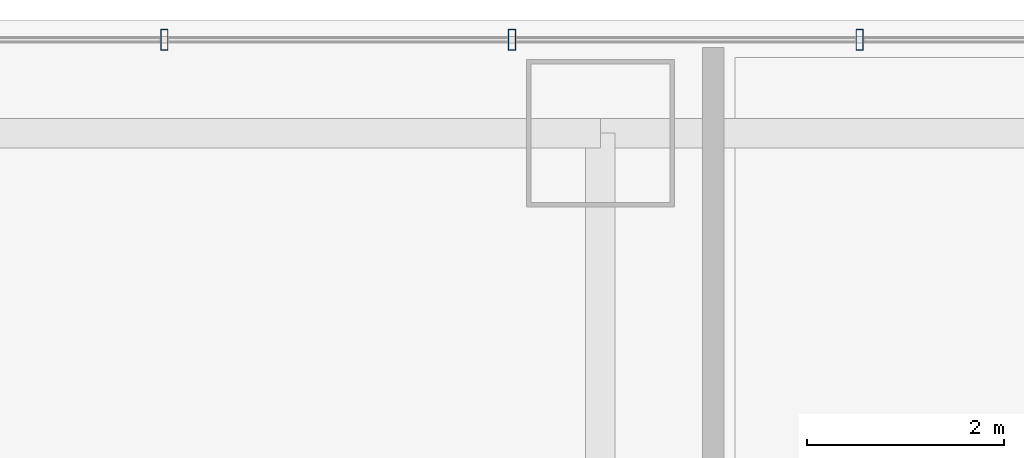
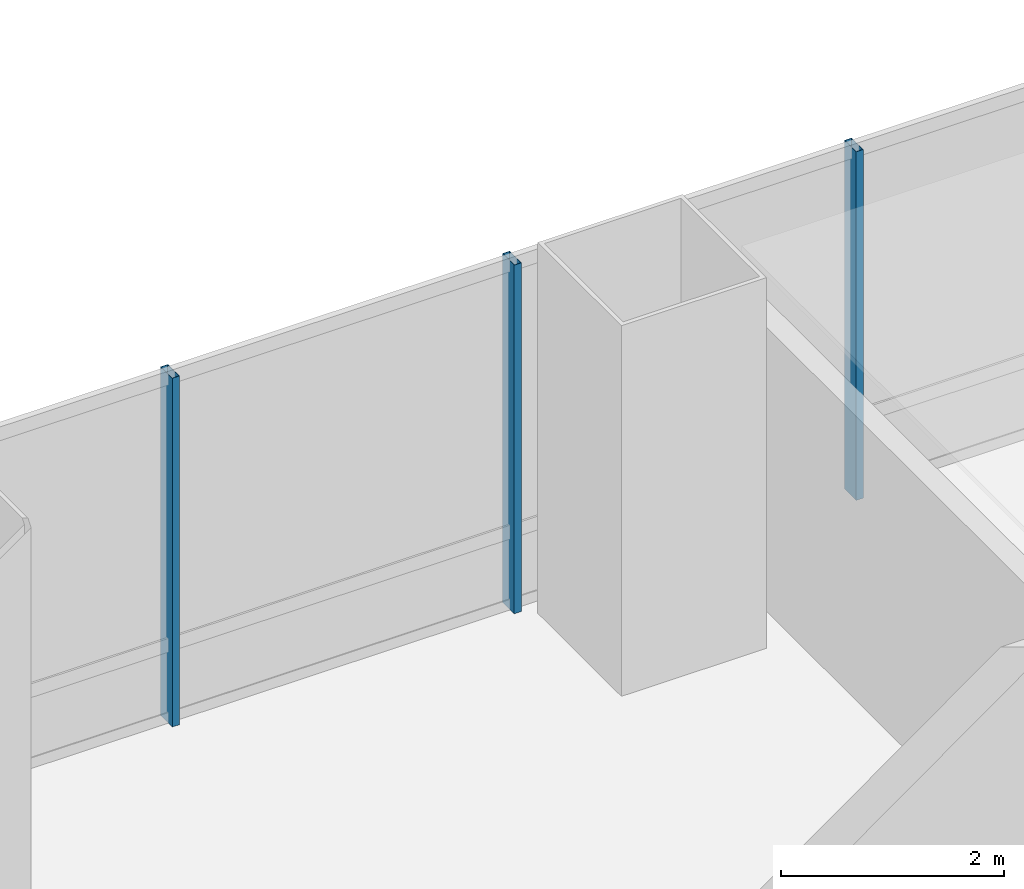
# One storey, part 23 of 35: 3 members, 1 element without a shape of its own.
"""IFC4 building model written with IfcOpenShell, lengths in metres."""

from ifc_helpers import new_model, si_unit, direction, frame, origin, origin_2d, place, context, subcontext, project, spatial, hollow_rectangle, extrude, material, material_profile, profile_set, type_object, element, aggregate, save


model = new_model("IFC4")

# Units and contexts
model_context = context("Model", 3, precision=1e-05, world=origin(), true_north=direction((0.0, 1.0)))
body_context = subcontext(model_context, "Body", "Model", "MODEL_VIEW")
ifc_project = project(units=[si_unit("LENGTHUNIT", "METRE"), si_unit("AREAUNIT", "SQUARE_METRE"), si_unit("VOLUMEUNIT", "CUBIC_METRE"), si_unit("PLANEANGLEUNIT", "RADIAN"), si_unit("MASSUNIT", "GRAM", prefix="KILO")], contexts=[model_context])

# Site, building, storey
site_placement = place(None, origin())
site = spatial("IfcSite", under=ifc_project, at=site_placement, CompositionType="ELEMENT")
building_placement = place(site_placement, origin())
building = spatial("IfcBuilding", under=site, at=building_placement, Name="Punatoya Terracotta Tower", CompositionType="ELEMENT")
storey_placement = place(building_placement, frame((0.0, 0.0, 52.5)))
storey = spatial("IfcBuildingStorey", under=building, at=storey_placement, Name="L11", CompositionType="ELEMENT", Elevation=52.5)

# Curtain wall, members
ifc_material_1 = material(Name="Aluminium 6063-T6 + Double Low-E Glass", Category="aluminium")
curtain_wall_type = type_object("IfcCurtainWallType", Name="CW-M1", PredefinedType="NOTDEFINED", material=ifc_material_1)
curtain_wall_placement = place(storey_placement, origin())
curtain_wall = element("IfcCurtainWall", 1, at=curtain_wall_placement, inside=storey, type_object=curtain_wall_type, Name="L11 Curtain Wall CW-L11-N09-1", PredefinedType="NOTDEFINED")
ifc_material_2 = material(Name="Aluminium 6063-T6", Category="aluminium")
ifc_material_profile = material_profile(ifc_material_2, hollow_rectangle(XDim=0.074951171875, YDim=0.2099609375, WallThickness=0.00439453125, at=origin_2d()))
ifc_profile_set = profile_set([ifc_material_profile], Name="Aluminium 6063-T6")
member_type = type_object("IfcMemberType", Name="CW-MUL-M1", PredefinedType="MULLION", material=ifc_profile_set)
member_1_placement = place(storey_placement, frame((6.43505859375, 18.449951171875, 0.0), z_axis=(0.0, 0.0, 1.0), x_axis=(1.0, 0.0, 0.0)))
member_1 = element("IfcMember", 2, at=member_1_placement, type_object=member_type, Name="CW-L11-N09-1 Mullion 03", PredefinedType="MULLION", context=body_context, shape_type="SweptSolid", body=[
    extrude(hollow_rectangle(XDim=0.074951171875, YDim=0.2099609375, WallThickness=0.00439453125, at=origin_2d()), origin(), (0.0, 0.0, 1.0), 3.81005859375),
])
member_2_placement = place(storey_placement, frame((2.90087890625, 18.449951171875, 0.0), z_axis=(0.0, 0.0, 1.0), x_axis=(1.0, 0.0, 0.0)))
member_2 = element("IfcMember", 3, at=member_2_placement, type_object=member_type, Name="CW-L11-N09-1 Mullion 04", PredefinedType="MULLION", context=body_context, shape_type="SweptSolid", body=[
    extrude(hollow_rectangle(XDim=0.074951171875, YDim=0.2099609375, WallThickness=0.00439453125, at=origin_2d()), origin(), (0.0, 0.0, 1.0), 3.81005859375),
])
member_3_placement = place(storey_placement, frame((-0.633056640625, 18.449951171875, 0.0), z_axis=(0.0, 0.0, 1.0), x_axis=(1.0, 0.0, 0.0)))
member_3 = element("IfcMember", 4, at=member_3_placement, type_object=member_type, Name="CW-L11-N09-1 Mullion 05", PredefinedType="MULLION", context=body_context, shape_type="SweptSolid", body=[
    extrude(hollow_rectangle(XDim=0.074951171875, YDim=0.2099609375, WallThickness=0.00439453125, at=origin_2d()), origin(), (0.0, 0.0, 1.0), 3.81005859375),
])
aggregate(curtain_wall, [member_1, member_2, member_3])

save(model, "model.ifc")
